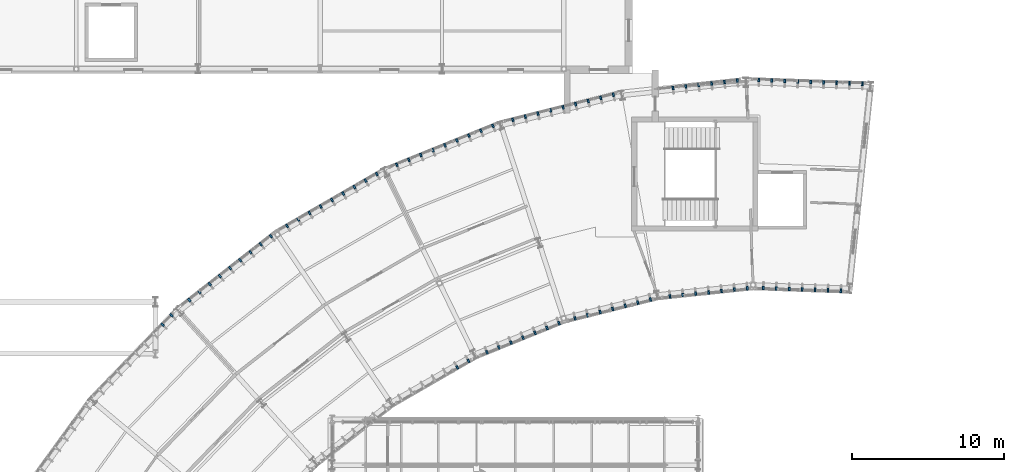
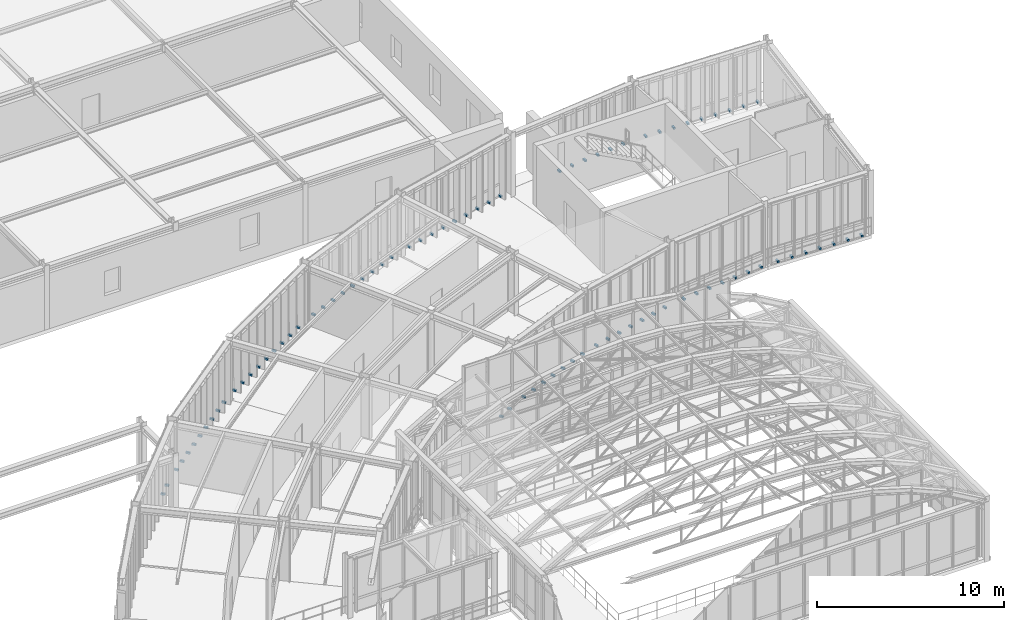
# One storey, part 136 of 148: 83 discrete accessories.
"""IFC4 building model written with IfcOpenShell, lengths in metres."""

from ifc_helpers import new_model, si_unit, direction, frame, origin, origin_2d, place, context, subcontext, project, spatial, rectangle, extrude, material, type_object, element, save


model = new_model("IFC4")

# Units and contexts
model_context = context("Model", 3, precision=1e-05, world=origin(), true_north=direction((0.0, 1.0)))
body_context = subcontext(model_context, "Body", "Model", "MODEL_VIEW")
ifc_project = project(units=[si_unit("LENGTHUNIT", "METRE"), si_unit("AREAUNIT", "SQUARE_METRE"), si_unit("VOLUMEUNIT", "CUBIC_METRE"), si_unit("PLANEANGLEUNIT", "RADIAN"), si_unit("MASSUNIT", "GRAM", prefix="KILO"), si_unit("THERMODYNAMICTEMPERATUREUNIT", "KELVIN"), si_unit("POWERUNIT", "WATT")], contexts=[model_context])

# Site, building, storey
site_placement = place(None, origin())
site = spatial("IfcSite", under=ifc_project, at=site_placement, CompositionType="ELEMENT")
building_placement = place(site_placement, origin())
building = spatial("IfcBuilding", under=site, at=building_placement, Name="Solvatero Civic Police Headquarters", CompositionType="ELEMENT")
storey_placement = place(building_placement, frame((0.0, 0.0, 5.10009765625)))
storey = spatial("IfcBuildingStorey", under=building, at=storey_placement, Name="L01", CompositionType="ELEMENT", Elevation=5.10009765625)

# Discrete accessories
ifc_material = material(Name="Steel S355", Category="steel")
discrete_accessory_type = type_object("IfcDiscreteAccessoryType", Name="ACC-BRK-FIN", PredefinedType="BRACKET", material=ifc_material)
for number, where, z_axis, x_axis, name in (
    (1, (99.59716796875, 84.52685546875, -0.000244140625), (0.0, 0.0, 1.0), (-0.999390827019, 0.034899496703, 0.0), "Slab-Edge Fin Bracket 0157"),
    (2, (98.747802734375, 84.556396484375, -0.000244140625), (0.0, 0.0, 1.0), (-0.999390827019, 0.034899496703, 0.0), "Slab-Edge Fin Bracket 0158"),
    (3, (97.898193359375, 84.586181640625, -0.000244140625), (0.0, 0.0, 1.0), (-0.999390827019, 0.034899496703, 0.0), "Slab-Edge Fin Bracket 0159"),
    (4, (97.048583984375, 84.61572265625, -0.000244140625), (0.0, 0.0, 1.0), (-0.999390827019, 0.034899496703, 0.0), "Slab-Edge Fin Bracket 0160"),
    (5, (96.19921875, 84.6455078125, -0.000244140625), (0.0, 0.0, 1.0), (-0.999390827019, 0.034899496703, 0.0), "Slab-Edge Fin Bracket 0161"),
    (6, (95.349853515625, 84.675048828125, -0.000244140625), (0.0, 0.0, 1.0), (-0.999390827019, 0.034899496703, 0.0), "Slab-Edge Fin Bracket 0162"),
    (7, (94.500244140625, 84.704833984375, -0.000244140625), (0.0, 0.0, 1.0), (-0.999390827019, 0.034899496703, 0.0), "Slab-Edge Fin Bracket 0163"),
    (8, (93.65087890625, 84.734619140625, -0.000244140625), (0.0, 0.0, 1.0), (-0.999390827019, 0.034899496703, 0.0), "Slab-Edge Fin Bracket 0164"),
    (9, (92.80126953125, 84.76416015625, -0.000244140625), (0.0, 0.0, 1.0), (-0.999390827019, 0.034899496703, 0.0), "Slab-Edge Fin Bracket 0165"),
    (10, (98.1845703125, 70.94140625, -0.000244140625), (0.0, 0.0, 1.0), (-0.999390827019, 0.034899496703, 0.0), "Slab-Edge Fin Bracket 0166"),
    (11, (97.3349609375, 70.97119140625, -0.000244140625), (0.0, 0.0, 1.0), (-0.999390827019, 0.034899496703, 0.0), "Slab-Edge Fin Bracket 0167"),
    (12, (96.485595703125, 71.000732421875, -0.000244140625), (0.0, 0.0, 1.0), (-0.999390827019, 0.034899496703, 0.0), "Slab-Edge Fin Bracket 0168"),
    (13, (95.635986328125, 71.030517578125, -0.000244140625), (0.0, 0.0, 1.0), (-0.999390827019, 0.034899496703, 0.0), "Slab-Edge Fin Bracket 0169"),
    (14, (94.78662109375, 71.06005859375, -0.000244140625), (0.0, 0.0, 1.0), (-0.999390827019, 0.034899496703, 0.0), "Slab-Edge Fin Bracket 0170"),
    (15, (93.93701171875, 71.08984375, -0.000244140625), (0.0, 0.0, 1.0), (-0.999390827019, 0.034899496703, 0.0), "Slab-Edge Fin Bracket 0171"),
    (16, (93.087646484375, 71.119384765625, -0.000244140625), (0.0, 0.0, 1.0), (-0.999390827019, 0.034899496703, 0.0), "Slab-Edge Fin Bracket 0172"),
    (17, (91.386474609375, 84.72998046875, -0.000244140625), (0.0, 0.0, 1.0), (-0.99356395018, -0.113272577893, 0.0), "Slab-Edge Fin Bracket 0173"),
    (18, (90.541748046875, 84.6337890625, -0.000244140625), (0.0, 0.0, 1.0), (-0.99356395018, -0.113272577893, 0.0), "Slab-Edge Fin Bracket 0174"),
    (19, (89.697265625, 84.53759765625, -0.000244140625), (0.0, 0.0, 1.0), (-0.99356395018, -0.113272577893, 0.0), "Slab-Edge Fin Bracket 0175"),
    (20, (88.852783203125, 84.441162109375, -0.000244140625), (0.0, 0.0, 1.0), (-0.99356395018, -0.113272577893, 0.0), "Slab-Edge Fin Bracket 0176"),
    (21, (88.00830078125, 84.344970703125, -0.000244140625), (0.0, 0.0, 1.0), (-0.99356395018, -0.113272577893, 0.0), "Slab-Edge Fin Bracket 0177"),
    (22, (87.163818359375, 84.248779296875, -0.000244140625), (0.0, 0.0, 1.0), (-0.99356395018, -0.113272577893, 0.0), "Slab-Edge Fin Bracket 0178"),
    (23, (92.036376953125, 71.101806640625, -0.000244140625), (0.0, 0.0, 1.0), (-0.994521895368, -0.104528463268, 0.0), "Slab-Edge Fin Bracket 0179"),
    (24, (91.19091796875, 71.01318359375, -0.000244140625), (0.0, 0.0, 1.0), (-0.994521895368, -0.104528463268, 0.0), "Slab-Edge Fin Bracket 0180"),
    (25, (90.345703125, 70.92431640625, -0.000244140625), (0.0, 0.0, 1.0), (-0.994521895368, -0.104528463268, 0.0), "Slab-Edge Fin Bracket 0181"),
    (26, (89.500244140625, 70.83544921875, -0.000244140625), (0.0, 0.0, 1.0), (-0.994521895368, -0.104528463268, 0.0), "Slab-Edge Fin Bracket 0182"),
    (27, (88.65478515625, 70.74658203125, -0.000244140625), (0.0, 0.0, 1.0), (-0.994521895368, -0.104528463268, 0.0), "Slab-Edge Fin Bracket 0183"),
    (28, (87.8095703125, 70.65771484375, -0.000244140625), (0.0, 0.0, 1.0), (-0.994521895368, -0.104528463268, 0.0), "Slab-Edge Fin Bracket 0184"),
    (29, (86.964111328125, 70.56884765625, -0.000244140625), (0.0, 0.0, 1.0), (-0.994521895368, -0.104528463268, 0.0), "Slab-Edge Fin Bracket 0185"),
    (30, (83.248046875, 83.802490234375, -0.000244140625), (0.0, 0.0, 1.0), (-0.970295726276, -0.2419218956, 0.0), "Slab-Edge Fin Bracket 0186"),
    (31, (82.42333984375, 83.596923828125, -0.000244140625), (0.0, 0.0, 1.0), (-0.970295726276, -0.2419218956, 0.0), "Slab-Edge Fin Bracket 0187"),
    (32, (81.5986328125, 83.39111328125, -0.000244140625), (0.0, 0.0, 1.0), (-0.970295726276, -0.2419218956, 0.0), "Slab-Edge Fin Bracket 0188"),
    (33, (80.77392578125, 83.185546875, -0.000244140625), (0.0, 0.0, 1.0), (-0.970295726276, -0.2419218956, 0.0), "Slab-Edge Fin Bracket 0189"),
    (34, (79.94921875, 82.97998046875, -0.000244140625), (0.0, 0.0, 1.0), (-0.970295726276, -0.2419218956, 0.0), "Slab-Edge Fin Bracket 0190"),
    (35, (79.12451171875, 82.7744140625, -0.000244140625), (0.0, 0.0, 1.0), (-0.970295726276, -0.2419218956, 0.0), "Slab-Edge Fin Bracket 0191"),
    (36, (78.299560546875, 82.568603515625, -0.000244140625), (0.0, 0.0, 1.0), (-0.970295726276, -0.2419218956, 0.0), "Slab-Edge Fin Bracket 0192"),
    (37, (77.474853515625, 82.363037109375, -0.000244140625), (0.0, 0.0, 1.0), (-0.970295726276, -0.2419218956, 0.0), "Slab-Edge Fin Bracket 0193"),
    (38, (76.650146484375, 82.157470703125, -0.000244140625), (0.0, 0.0, 1.0), (-0.970295726276, -0.2419218956, 0.0), "Slab-Edge Fin Bracket 0194"),
    (39, (85.681396484375, 70.365478515625, -0.000244140625), (0.0, 0.0, 1.0), (-0.970299948462, -0.241904960708, 0.0), "Slab-Edge Fin Bracket 0195"),
    (40, (84.856689453125, 70.159912109375, -0.000244140625), (0.0, 0.0, 1.0), (-0.970299948462, -0.241904960708, 0.0), "Slab-Edge Fin Bracket 0196"),
    (41, (84.031982421875, 69.9541015625, -0.000244140625), (0.0, 0.0, 1.0), (-0.970299948462, -0.241904960708, 0.0), "Slab-Edge Fin Bracket 0197"),
    (42, (83.207275390625, 69.74853515625, -0.000244140625), (0.0, 0.0, 1.0), (-0.970299948462, -0.241904960708, 0.0), "Slab-Edge Fin Bracket 0198"),
    (43, (82.38232421875, 69.54296875, -0.000244140625), (0.0, 0.0, 1.0), (-0.970299948462, -0.241904960708, 0.0), "Slab-Edge Fin Bracket 0199"),
    (44, (81.5576171875, 69.33740234375, -0.000244140625), (0.0, 0.0, 1.0), (-0.970299948462, -0.241904960708, 0.0), "Slab-Edge Fin Bracket 0200"),
    (45, (80.73291015625, 69.131591796875, -0.000244140625), (0.0, 0.0, 1.0), (-0.970299948462, -0.241904960708, 0.0), "Slab-Edge Fin Bracket 0201"),
    (46, (75.343505859375, 81.7578125, -0.000244140625), (0.0, 0.0, 1.0), (-0.927183854567, -0.374606593416, 0.0), "Slab-Edge Fin Bracket 0202"),
    (47, (74.555419921875, 81.439453125, -0.000244140625), (0.0, 0.0, 1.0), (-0.927183854567, -0.374606593416, 0.0), "Slab-Edge Fin Bracket 0203"),
    (48, (73.767333984375, 81.12109375, -0.000244140625), (0.0, 0.0, 1.0), (-0.927183854567, -0.374606593416, 0.0), "Slab-Edge Fin Bracket 0204"),
    (49, (72.979248046875, 80.802490234375, -0.000244140625), (0.0, 0.0, 1.0), (-0.927183854567, -0.374606593416, 0.0), "Slab-Edge Fin Bracket 0205"),
    (50, (72.191162109375, 80.484130859375, -0.000244140625), (0.0, 0.0, 1.0), (-0.927183854567, -0.374606593416, 0.0), "Slab-Edge Fin Bracket 0206"),
    (51, (71.403076171875, 80.165771484375, -0.000244140625), (0.0, 0.0, 1.0), (-0.927183854567, -0.374606593416, 0.0), "Slab-Edge Fin Bracket 0207"),
    (52, (70.614990234375, 79.847412109375, -0.000244140625), (0.0, 0.0, 1.0), (-0.927183854567, -0.374606593416, 0.0), "Slab-Edge Fin Bracket 0208"),
    (53, (69.826904296875, 79.52880859375, -0.000244140625), (0.0, 0.0, 1.0), (-0.927183854567, -0.374606593416, 0.0), "Slab-Edge Fin Bracket 0209"),
    (54, (69.038818359375, 79.21044921875, -0.000244140625), (0.0, 0.0, 1.0), (-0.927183854567, -0.374606593416, 0.0), "Slab-Edge Fin Bracket 0210"),
    (55, (79.6806640625, 68.8134765625, -0.000244140625), (0.0, 0.0, 1.0), (-0.927183854567, -0.374606593416, 0.0), "Slab-Edge Fin Bracket 0211"),
    (56, (78.892578125, 68.4951171875, -0.000244140625), (0.0, 0.0, 1.0), (-0.927183854567, -0.374606593416, 0.0), "Slab-Edge Fin Bracket 0212"),
    (57, (78.1044921875, 68.1767578125, -0.000244140625), (0.0, 0.0, 1.0), (-0.927183854567, -0.374606593416, 0.0), "Slab-Edge Fin Bracket 0213"),
    (58, (77.31640625, 67.8583984375, -0.000244140625), (0.0, 0.0, 1.0), (-0.927183854567, -0.374606593416, 0.0), "Slab-Edge Fin Bracket 0214"),
    (59, (76.5283203125, 67.539794921875, -0.000244140625), (0.0, 0.0, 1.0), (-0.927183854567, -0.374606593416, 0.0), "Slab-Edge Fin Bracket 0215"),
    (60, (75.739990234375, 67.221435546875, -0.000244140625), (0.0, 0.0, 1.0), (-0.927183854567, -0.374606593416, 0.0), "Slab-Edge Fin Bracket 0216"),
    (61, (74.951904296875, 66.903076171875, -0.000244140625), (0.0, 0.0, 1.0), (-0.927183854567, -0.374606593416, 0.0), "Slab-Edge Fin Bracket 0217"),
    (62, (67.723388671875, 78.594482421875, -0.000244140625), (0.0, 0.0, 1.0), (-0.866025403784, -0.5, 0.0), "Slab-Edge Fin Bracket 0218"),
    (63, (66.9873046875, 78.169677734375, -0.000244140625), (0.0, 0.0, 1.0), (-0.866025403784, -0.5, 0.0), "Slab-Edge Fin Bracket 0219"),
    (64, (66.251220703125, 77.74462890625, -0.000244140625), (0.0, 0.0, 1.0), (-0.866025403784, -0.5, 0.0), "Slab-Edge Fin Bracket 0220"),
    (65, (65.514892578125, 77.319580078125, -0.000244140625), (0.0, 0.0, 1.0), (-0.866025403784, -0.5, 0.0), "Slab-Edge Fin Bracket 0221"),
    (66, (64.77880859375, 76.89453125, -0.000244140625), (0.0, 0.0, 1.0), (-0.866025403784, -0.5, 0.0), "Slab-Edge Fin Bracket 0222"),
    (67, (64.042724609375, 76.469482421875, -0.000244140625), (0.0, 0.0, 1.0), (-0.866025403784, -0.5, 0.0), "Slab-Edge Fin Bracket 0223"),
    (68, (63.306640625, 76.044677734375, -0.000244140625), (0.0, 0.0, 1.0), (-0.866025403784, -0.5, 0.0), "Slab-Edge Fin Bracket 0224"),
    (69, (62.570556640625, 75.61962890625, -0.000244140625), (0.0, 0.0, 1.0), (-0.866025403784, -0.5, 0.0), "Slab-Edge Fin Bracket 0225"),
    (70, (61.83447265625, 75.194580078125, -0.000244140625), (0.0, 0.0, 1.0), (-0.866025403784, -0.5, 0.0), "Slab-Edge Fin Bracket 0226"),
    (71, (73.741943359375, 66.3349609375, -0.000244140625), (0.0, 0.0, 1.0), (-0.866025403784, -0.5, 0.0), "Slab-Edge Fin Bracket 0227"),
    (72, (73.005859375, 65.909912109375, -0.000244140625), (0.0, 0.0, 1.0), (-0.866025403784, -0.5, 0.0), "Slab-Edge Fin Bracket 0228"),
    (73, (60.776123046875, 74.51708984375, -0.000244140625), (0.0, 0.0, 1.0), (-0.788010753607, -0.615661475326, 0.0), "Slab-Edge Fin Bracket 0234"),
    (74, (60.106201171875, 73.99365234375, -0.000244140625), (0.0, 0.0, 1.0), (-0.788010753607, -0.615661475326, 0.0), "Slab-Edge Fin Bracket 0235"),
    (75, (59.4365234375, 73.47021484375, -0.000244140625), (0.0, 0.0, 1.0), (-0.788010753607, -0.615661475326, 0.0), "Slab-Edge Fin Bracket 0236"),
    (76, (58.7666015625, 72.947021484375, -0.000244140625), (0.0, 0.0, 1.0), (-0.788010753607, -0.615661475326, 0.0), "Slab-Edge Fin Bracket 0237"),
    (77, (58.0966796875, 72.423583984375, -0.000244140625), (0.0, 0.0, 1.0), (-0.788010753607, -0.615661475326, 0.0), "Slab-Edge Fin Bracket 0238"),
    (78, (57.427001953125, 71.900390625, -0.000244140625), (0.0, 0.0, 1.0), (-0.788010753607, -0.615661475326, 0.0), "Slab-Edge Fin Bracket 0239"),
    (79, (56.757080078125, 71.377197265625, -0.000244140625), (0.0, 0.0, 1.0), (-0.788010753607, -0.615661475326, 0.0), "Slab-Edge Fin Bracket 0240"),
    (80, (56.08740234375, 70.853759765625, -0.000244140625), (0.0, 0.0, 1.0), (-0.788010753607, -0.615661475326, 0.0), "Slab-Edge Fin Bracket 0241"),
    (81, (55.41748046875, 70.33056640625, -0.000244140625), (0.0, 0.0, 1.0), (-0.788010753607, -0.615661475326, 0.0), "Slab-Edge Fin Bracket 0242"),
    (82, (54.251220703125, 69.321533203125, -0.000244140625), (0.0, 0.0, 1.0), (-0.694645815505, -0.719351924305, 0.0), "Slab-Edge Fin Bracket 0250"),
    (83, (53.660888671875, 68.710205078125, -0.000244140625), (0.0, 0.0, 1.0), (-0.694645815505, -0.719351924305, 0.0), "Slab-Edge Fin Bracket 0251"),
):
    element("IfcDiscreteAccessory", number, at=place(storey_placement, frame(where, z_axis=z_axis, x_axis=x_axis)), inside=storey, type_object=discrete_accessory_type, Name=name, PredefinedType="BRACKET", context=body_context, shape_type="SweptSolid", body=[
        extrude(rectangle(XDim=0.1201171875, YDim=0.239990234375, at=origin_2d()), origin(), (0.0, 0.0, 1.0), 0.1201171875),
    ])

save(model, "model.ifc")
